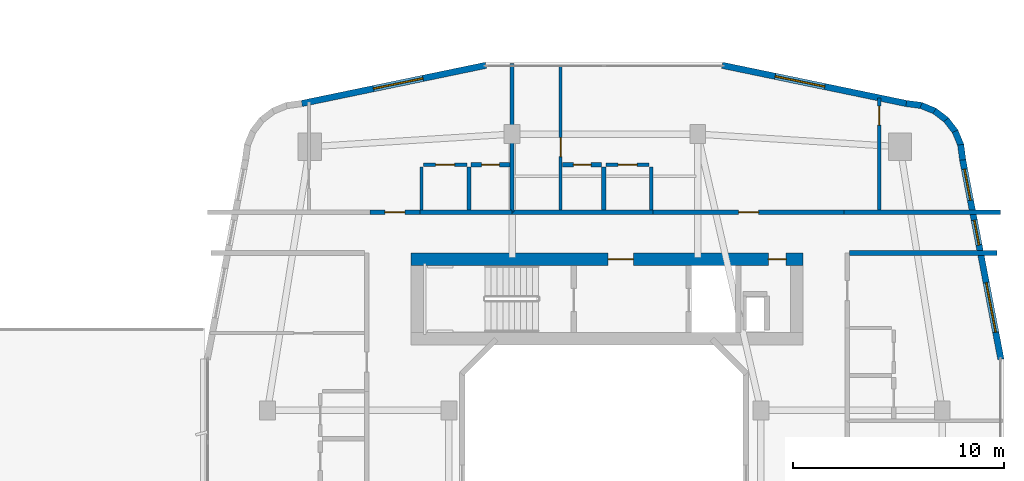
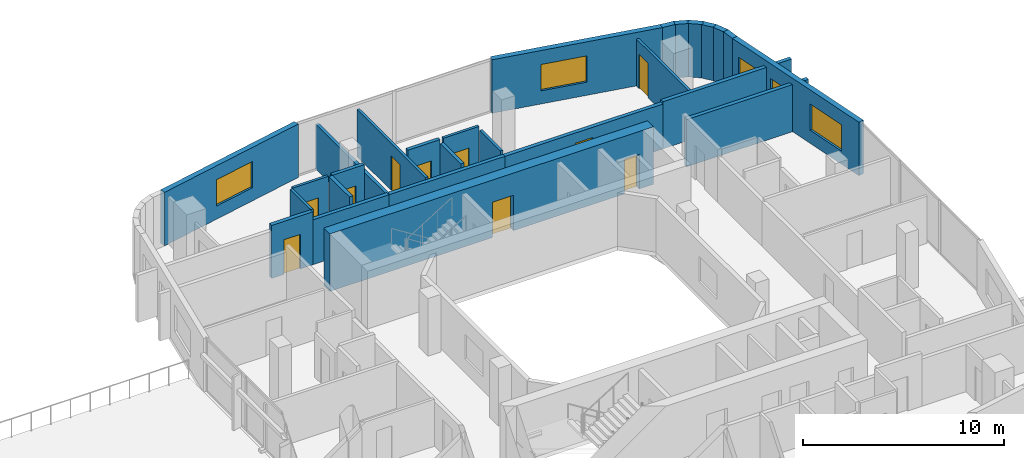
# One storey, part 19 of 25: 27 walls, 10 doors, 5 windows, 15 openings.
"""IFC4 building model written with IfcOpenShell, lengths in metres."""

from ifc_helpers import new_model, si_unit, derived_unit, direction, frame, frame_2d, origin, place, context, subcontext, project, spatial, rectangle, extrude, material, layer, layer_set, type_object, element, fill, save


model = new_model("IFC4")

# Units and contexts
model_context = context("Model", 3, precision=1e-05, world=origin(), true_north=direction((0.0, 1.0)))
body_context = subcontext(model_context, "Body", "Model", "MODEL_VIEW")
ifc_project = project(units=[si_unit("LENGTHUNIT", "METRE"), si_unit("AREAUNIT", "SQUARE_METRE"), si_unit("VOLUMEUNIT", "CUBIC_METRE"), si_unit("PLANEANGLEUNIT", "RADIAN"), si_unit("MASSUNIT", "GRAM", prefix="KILO"), derived_unit("THERMALTRANSMITTANCEUNIT", [(si_unit("POWERUNIT", "WATT"), 1), (si_unit("LENGTHUNIT", "METRE"), -2), (si_unit("THERMODYNAMICTEMPERATUREUNIT", "KELVIN"), -1)])], contexts=[model_context])

# Site, building, storey
site_placement = place(None, origin())
site = spatial("IfcSite", under=ifc_project, at=site_placement, CompositionType="ELEMENT")
building_placement = place(site_placement, origin())
building = spatial("IfcBuilding", under=site, at=building_placement, Name="Kivonza Crest Hotel", CompositionType="ELEMENT")
storey_placement = place(building_placement, frame((0.0, 0.0, 24.0)))
storey = spatial("IfcBuildingStorey", under=building, at=storey_placement, Name="L05", CompositionType="ELEMENT", Elevation=24.0)

# Walls
ifc_material_1 = material(Name="High-density acoustic masonry inter-tenancy wall", Category="masonry")
ifc_layer_1 = layer(ifc_material_1, 0.179931640625)
ifc_layer_set_1 = layer_set([ifc_layer_1], Name="High-density acoustic masonry inter-tenancy wall")
wall_type_1 = type_object("IfcWallType", Name="WL-ACOU-180", PredefinedType="SOLIDWALL", material=ifc_layer_set_1)
wall_1_placement = place(storey_placement, frame((72.60009765625, 37.89990234375, 0.0), z_axis=(0.0, 0.0, 1.0), x_axis=(0.0, 1.0, 0.0)))
element("IfcWall", 1, at=wall_1_placement, inside=storey, type_object=wall_type_1, Name="L05 interior partition WA-L05-T2N-DIV1", PredefinedType="SOLIDWALL", context=body_context, shape_type="SweptSolid", body=[
    extrude(rectangle(XDim=7.0400390625, YDim=0.179931640625, at=frame_2d((3.52001953125, 0.0))), origin(), (0.0, 0.0, 1.0), 2.72509765625),
])
ifc_material_2 = material(Name="Autoclaved aerated concrete blockwork", Category="masonry")
ifc_layer_2 = layer(ifc_material_2, 0.219970703125)
ifc_layer_set_2 = layer_set([ifc_layer_2], Name="Autoclaved aerated concrete blockwork")
wall_type_2 = type_object("IfcWallType", Name="WL-ACOU-220", PredefinedType="SOLIDWALL", material=ifc_layer_set_2)
wall_2_placement = place(storey_placement, frame((68.219970703125, 37.89990234375, 0.0), z_axis=(0.0, 0.0, 1.0), x_axis=(1.0, 0.0, 0.0)))
element("IfcWall", 2, at=wall_2_placement, inside=storey, type_object=wall_type_2, Name="L05 interior partition WA-L05-A01-RCORR", PredefinedType="SOLIDWALL", context=body_context, shape_type="SweptSolid", body=[
    extrude(rectangle(XDim=4.380126953125, YDim=0.219970703125, at=frame_2d((2.18994140625, 0.0))), origin(), (0.0, 0.0, 1.0), 2.72509765625),
])

# Wall, opening, door
wall_3_placement = place(storey_placement, frame((65.85009765625, 37.89990234375, 0.0), z_axis=(0.0, 0.0, 1.0), x_axis=(1.0, 0.0, 0.0)))
wall_3 = element("IfcWall", 3, at=wall_3_placement, inside=storey, type_object=wall_type_2, Name="L05 interior partition WA-L05-A01-MCORR", PredefinedType="SOLIDWALL", context=body_context, shape_type="SweptSolid", body=[
    extrude(rectangle(XDim=2.369873046875, YDim=0.219970703125, at=frame_2d((1.18505859375, 0.0))), origin(), (0.0, 0.0, 1.0), 3.219970703125),
])
opening_1_placement = place(wall_3_placement, frame((0.7099609375, 0.0, 0.0)))
opening_1 = element("IfcOpeningElement", 4, at=opening_1_placement, cuts=wall_3, Name="Opening DU-60", PredefinedType="OPENING", context=body_context, shape_type="SweptSolid", body=[
    extrude(rectangle(XDim=0.949951171875, YDim=2.10009765625, at=frame_2d((0.47509765625, 1.050048828125))), frame((0.0, 0.1201171875, 0.0), z_axis=(0.0, -1.0, 0.0), x_axis=(1.0, 0.0, 0.0)), (0.0, 0.0, 1.0), 0.239990234375),
])
ifc_material_3 = material(Name="Hardwood timber oak", Category="wood")
door_type_1 = type_object("IfcDoorType", Name="DR-UNIT-950", OperationType="NOTDEFINED", PredefinedType="DOOR", material=ifc_material_3)
door_1_placement = place(opening_1_placement, origin())
door_1 = element("IfcDoor", 5, at=door_1_placement, inside=storey, type_object=door_type_1, Name="L05 A01 apartment entrance fire door", OperationType="SINGLE_SWING_LEFT", OverallHeight=2.10009765625, OverallWidth=0.949951171875, PredefinedType="DOOR", context=body_context, shape_type="SweptSolid", body=[
    extrude(rectangle(XDim=0.949951171875, YDim=2.10009765625, at=frame_2d((0.47509765625, 1.050048828125))), frame((0.0, 0.02490234375, 0.0), z_axis=(0.0, -1.0, 0.0), x_axis=(1.0, 0.0, 0.0)), (0.0, 0.0, 1.0), 0.050048828125),
])
fill(opening_1, door_1)

# Walls
wall_4_placement = place(storey_placement, frame((72.60009765625, 37.89990234375, 0.0), z_axis=(0.0, 0.0, 1.0), x_axis=(1.0, 0.0, 0.0)))
element("IfcWall", 6, at=wall_4_placement, inside=storey, type_object=wall_type_2, Name="L05 interior partition WA-L05-A02-LCORR", PredefinedType="SOLIDWALL", context=body_context, shape_type="SweptSolid", body=[
    extrude(rectangle(XDim=6.679931640625, YDim=0.219970703125, at=frame_2d((3.33984375, 0.0))), origin(), (0.0, 0.0, 1.0), 2.72509765625),
])
wall_5_placement = place(storey_placement, frame((88.35009765625, 37.89990234375, 0.0), z_axis=(0.0, 0.0, 1.0), x_axis=(1.0, 0.0, 0.0)))
element("IfcWall", 7, at=wall_5_placement, inside=storey, type_object=wall_type_2, Name="L05 interior partition WA-L05-A02-RCORR", PredefinedType="SOLIDWALL", context=body_context, shape_type="SweptSolid", body=[
    extrude(rectangle(XDim=7.409912109375, YDim=0.219970703125, at=frame_2d((3.705078125, 0.0))), origin(), (0.0, 0.0, 1.0), 2.864990234375),
])

# Wall, opening, door
wall_6_placement = place(storey_placement, frame((79.280029296875, 37.89990234375, 0.0), z_axis=(0.0, 0.0, 1.0), x_axis=(1.0, 0.0, 0.0)))
wall_6 = element("IfcWall", 8, at=wall_6_placement, inside=storey, type_object=wall_type_2, Name="L05 interior partition WA-L05-A02-MCORR", PredefinedType="SOLIDWALL", context=body_context, shape_type="SweptSolid", body=[
    extrude(rectangle(XDim=9.070068359375, YDim=0.219970703125, at=frame_2d((4.53515625, 0.0))), origin(), (0.0, 0.0, 1.0), 2.72509765625),
])
opening_2_placement = place(wall_6_placement, frame((4.06005859375, 0.0, 0.0)))
opening_2 = element("IfcOpeningElement", 9, at=opening_2_placement, cuts=wall_6, Name="Opening DU-60", PredefinedType="OPENING", context=body_context, shape_type="SweptSolid", body=[
    extrude(rectangle(XDim=0.949951171875, YDim=2.10009765625, at=frame_2d((0.47509765625, 1.050048828125))), frame((0.0, 0.1201171875, 0.0), z_axis=(0.0, -1.0, 0.0), x_axis=(1.0, 0.0, 0.0)), (0.0, 0.0, 1.0), 0.239990234375),
])
door_2_placement = place(opening_2_placement, origin())
door_2 = element("IfcDoor", 10, at=door_2_placement, inside=storey, type_object=door_type_1, Name="L05 A02 apartment entrance fire door", OperationType="SINGLE_SWING_RIGHT", OverallHeight=2.10009765625, OverallWidth=0.949951171875, PredefinedType="DOOR", context=body_context, shape_type="SweptSolid", body=[
    extrude(rectangle(XDim=0.949951171875, YDim=2.10009765625, at=frame_2d((0.47509765625, 1.050048828125))), frame((0.0, 0.02490234375, 0.0), z_axis=(0.0, -1.0, 0.0), x_axis=(1.0, 0.0, 0.0)), (0.0, 0.0, 1.0), 0.050048828125),
])
fill(opening_2, door_2)

# Wall
wall_7_placement = place(storey_placement, frame((88.60009765625, 35.9599609375, 0.0), z_axis=(0.0, 0.0, 1.0), x_axis=(1.0, 0.0, 0.0)))
element("IfcWall", 11, at=wall_7_placement, inside=storey, type_object=wall_type_2, Name="L05 interior partition WA-L05-T2E-ENDN", PredefinedType="SOLIDWALL", context=body_context, shape_type="SweptSolid", body=[
    extrude(rectangle(XDim=7.0, YDim=0.219970703125, at=frame_2d((3.5, 0.0))), origin(), (0.0, 0.0, 1.0), 2.864990234375),
])

# Wall, openings, doors
ifc_material_4 = material(Name="Concrete C60/75", Category="concrete")
ifc_layer_3 = layer(ifc_material_4, 0.60009765625)
ifc_layer_set_3 = layer_set([ifc_layer_3], Name="Concrete C60/75")
wall_type_3 = type_object("IfcWallType", Name="WL-CORE-600", PredefinedType="SHEAR", material=ifc_layer_set_3)
wall_8_placement = place(storey_placement, frame((67.800048828125, 35.659912109375, 0.0), z_axis=(0.0, 0.0, 1.0), x_axis=(1.0, 0.0, 0.0)))
wall_8 = element("IfcWall", 12, at=wall_8_placement, inside=storey, type_object=wall_type_3, Name="Core wall T2-N North L05", PredefinedType="SHEAR", context=body_context, shape_type="SweptSolid", body=[
    extrude(rectangle(XDim=18.599853515625, YDim=0.60009765625, at=frame_2d((9.2998046875, 0.0))), origin(), (0.0, 0.0, 1.0), 3.5),
])
opening_3_placement = place(wall_8_placement, frame((9.35009765625, 0.0, 0.0)))
opening_3 = element("IfcOpeningElement", 13, at=opening_3_placement, cuts=wall_8, Name="Opening DF-60", PredefinedType="OPENING", context=body_context, shape_type="SweptSolid", body=[
    extrude(rectangle(XDim=1.199951171875, YDim=2.14990234375, at=frame_2d((0.60009765625, 1.074951171875))), frame((0.0, 0.31005859375, 0.0), z_axis=(0.0, -1.0, 0.0), x_axis=(1.0, 0.0, 0.0)), (0.0, 0.0, 1.0), 0.6201171875),
])
opening_4_placement = place(wall_8_placement, frame((16.949951171875, 0.0, 0.0)))
opening_4 = element("IfcOpeningElement", 14, at=opening_4_placement, cuts=wall_8, Name="Opening DF-60R", PredefinedType="OPENING", context=body_context, shape_type="SweptSolid", body=[
    extrude(rectangle(XDim=0.85009765625, YDim=2.10009765625, at=frame_2d((0.425048828125, 1.050048828125))), frame((0.0, 0.31005859375, 0.0), z_axis=(0.0, -1.0, 0.0), x_axis=(1.0, 0.0, 0.0)), (0.0, 0.0, 1.0), 0.6201171875),
])
door_type_2 = type_object("IfcDoorType", Name="DR-FD60-1200", OperationType="NOTDEFINED", PredefinedType="DOOR", material=ifc_material_3)
door_3_placement = place(opening_3_placement, origin())
door_3 = element("IfcDoor", 15, at=door_3_placement, inside=storey, type_object=door_type_2, Name="L05 T2-N firefighting lobby fire door", OperationType="SINGLE_SWING_RIGHT", OverallHeight=2.14990234375, OverallWidth=1.199951171875, PredefinedType="DOOR", context=body_context, shape_type="SweptSolid", body=[
    extrude(rectangle(XDim=1.199951171875, YDim=2.14990234375, at=frame_2d((0.60009765625, 1.074951171875))), frame((0.0, 0.02490234375, 0.0), z_axis=(0.0, -1.0, 0.0), x_axis=(1.0, 0.0, 0.0)), (0.0, 0.0, 1.0), 0.050048828125),
])
fill(opening_3, door_3)
door_type_3 = type_object("IfcDoorType", Name="DR-FD60-850", OperationType="NOTDEFINED", PredefinedType="DOOR", material=ifc_material_3)
door_4_placement = place(opening_4_placement, origin())
door_4 = element("IfcDoor", 16, at=door_4_placement, inside=storey, type_object=door_type_3, Name="L05 T2-N core room door", OperationType="SINGLE_SWING_RIGHT", OverallHeight=2.10009765625, OverallWidth=0.85009765625, PredefinedType="DOOR", context=body_context, shape_type="SweptSolid", body=[
    extrude(rectangle(XDim=0.85009765625, YDim=2.10009765625, at=frame_2d((0.425048828125, 1.050048828125))), frame((0.0, 0.02490234375, 0.0), z_axis=(0.0, -1.0, 0.0), x_axis=(1.0, 0.0, 0.0)), (0.0, 0.0, 1.0), 0.050048828125),
])
fill(opening_4, door_4)

# Wall, openings, windows
ifc_material_5 = material(Name="Precast concrete C40/50", Category="concrete")
ifc_layer_4 = layer(ifc_material_5, 0.300048828125)
ifc_layer_set_4 = layer_set([ifc_layer_4], Name="Precast concrete C40/50")
wall_type_4 = type_object("IfcWallType", Name="WL-EXT-300", PredefinedType="STANDARD", material=ifc_layer_set_4)
wall_9_placement = place(storey_placement, frame((95.782958984375, 30.91796875, 0.0), z_axis=(0.0, 0.0, 1.0), x_axis=(-0.188087874316, 0.982152203854, 0.0)))
wall_9 = element("IfcWall", 17, at=wall_9_placement, inside=storey, type_object=wall_type_4, Name="L05 T2 exterior insulated wall 18", PredefinedType="STANDARD", context=body_context, shape_type="SweptSolid", body=[
    extrude(rectangle(XDim=9.6337890625, YDim=0.300048828125, at=frame_2d((4.81689453125, 0.0))), origin(), (0.0, 0.0, 1.0), 3.25),
])
opening_5_placement = place(wall_9_placement, frame((1.305908203125, 0.0, 0.800048828125)))
opening_5 = element("IfcOpeningElement", 18, at=opening_5_placement, cuts=wall_9, Name="Opening WN-05", PredefinedType="OPENING", context=body_context, shape_type="SweptSolid", body=[
    extrude(rectangle(XDim=2.39990234375, YDim=1.60009765625, at=frame_2d((1.199951171875, 0.800048828125))), frame((0.0, 0.16015625, 0.0), z_axis=(0.0, -1.0, 0.0), x_axis=(1.0, 0.0, 0.0)), (0.0, 0.0, 1.0), 0.320068359375),
])
opening_6_placement = place(wall_9_placement, frame((5.52099609375, 0.0, 0.85009765625)))
opening_6 = element("IfcOpeningElement", 19, at=opening_6_placement, cuts=wall_9, Name="Opening WN-01", PredefinedType="OPENING", context=body_context, shape_type="SweptSolid", body=[
    extrude(rectangle(XDim=1.199951171875, YDim=1.5, at=frame_2d((0.60009765625, 0.75))), frame((0.0, 0.16015625, 0.0), z_axis=(0.0, -1.0, 0.0), x_axis=(1.0, 0.0, 0.0)), (0.0, 0.0, 1.0), 0.320068359375),
])
opening_7_placement = place(wall_9_placement, frame((7.681884765625, 0.0, 0.85009765625)))
opening_7 = element("IfcOpeningElement", 20, at=opening_7_placement, cuts=wall_9, Name="Opening WN-02", PredefinedType="OPENING", context=body_context, shape_type="SweptSolid", body=[
    extrude(rectangle(XDim=1.5, YDim=1.5, at=frame_2d((0.75, 0.75))), frame((0.0, 0.16015625, 0.0), z_axis=(0.0, -1.0, 0.0), x_axis=(1.0, 0.0, 0.0)), (0.0, 0.0, 1.0), 0.320068359375),
])
ifc_material_6 = material(Name="Thermally broken bronze aluminium and low-E double glazing", Category="aluminium")
window_type_1 = type_object("IfcWindowType", Name="WN-120x150", PartitioningType="SINGLE_PANEL", PredefinedType="WINDOW", material=ifc_material_6)
window_1_placement = place(opening_6_placement, origin())
window_1 = element("IfcWindow", 21, at=window_1_placement, inside=storey, type_object=window_type_1, Name="L05 T2 facade window 18 bay 2", OverallHeight=1.5, OverallWidth=1.199951171875, PartitioningType="SINGLE_PANEL", PredefinedType="WINDOW", context=body_context, shape_type="SweptSolid", body=[
    extrude(rectangle(XDim=1.199951171875, YDim=1.5, at=frame_2d((0.60009765625, 0.75))), frame((0.0, 0.030029296875, 0.0), z_axis=(0.0, -1.0, 0.0), x_axis=(1.0, 0.0, 0.0)), (0.0, 0.0, 1.0), 0.06005859375),
])
fill(opening_6, window_1)
window_type_2 = type_object("IfcWindowType", Name="WN-150x150", PartitioningType="DOUBLE_PANEL_VERTICAL", PredefinedType="WINDOW", material=ifc_material_6)
window_2_placement = place(opening_7_placement, origin())
window_2 = element("IfcWindow", 22, at=window_2_placement, inside=storey, type_object=window_type_2, Name="L05 T2 facade window 18 bay 3", OverallHeight=1.5, OverallWidth=1.5, PartitioningType="SINGLE_PANEL", PredefinedType="WINDOW", context=body_context, shape_type="SweptSolid", body=[
    extrude(rectangle(XDim=1.5, YDim=1.5, at=frame_2d((0.75, 0.75))), frame((0.0, 0.030029296875, 0.0), z_axis=(0.0, -1.0, 0.0), x_axis=(1.0, 0.0, 0.0)), (0.0, 0.0, 1.0), 0.06005859375),
])
fill(opening_7, window_2)
window_type_3 = type_object("IfcWindowType", Name="WN-240x160", PartitioningType="TRIPLE_PANEL_VERTICAL", PredefinedType="WINDOW", material=ifc_material_6)
window_3_placement = place(opening_5_placement, origin())
window_3 = element("IfcWindow", 23, at=window_3_placement, inside=storey, type_object=window_type_3, Name="L05 T2 facade window 18 bay 1", OverallHeight=1.60009765625, OverallWidth=2.39990234375, PartitioningType="SINGLE_PANEL", PredefinedType="WINDOW", context=body_context, shape_type="SweptSolid", body=[
    extrude(rectangle(XDim=2.39990234375, YDim=1.60009765625, at=frame_2d((1.199951171875, 0.800048828125))), frame((0.0, 0.030029296875, 0.0), z_axis=(0.0, -1.0, 0.0), x_axis=(1.0, 0.0, 0.0)), (0.0, 0.0, 1.0), 0.06005859375),
])
fill(opening_5, window_3)

# Walls
wall_10_placement = place(storey_placement, frame((93.971923828125, 40.373046875, 0.0), z_axis=(0.0, 0.0, 1.0), x_axis=(-0.130255288807, 0.991480488834, 0.0)))
element("IfcWall", 24, at=wall_10_placement, inside=storey, type_object=wall_type_4, Name="L05 T2 exterior insulated wall 19", PredefinedType="STANDARD", context=body_context, shape_type="SweptSolid", body=[
    extrude(rectangle(XDim=0.72900390625, YDim=0.300048828125, at=frame_2d((0.364501953125, 0.0))), origin(), (0.0, 0.0, 1.0), 3.25),
])
wall_11_placement = place(storey_placement, frame((93.89599609375, 41.044921875, 0.0), z_axis=(0.0, 0.0, 1.0), x_axis=(-0.383267045233, 0.923637576129, 0.0)))
element("IfcWall", 25, at=wall_11_placement, inside=storey, type_object=wall_type_4, Name="L05 T2 exterior insulated wall 20", PredefinedType="STANDARD", context=body_context, shape_type="SweptSolid", body=[
    extrude(rectangle(XDim=0.745849609375, YDim=0.300048828125, at=frame_2d((0.373046875, 0.0))), origin(), (0.0, 0.0, 1.0), 3.25),
])
for number, where, z_axis, x_axis, name in (
    (26, (93.64111328125, 41.68896484375, 0.0), (0.0, 0.0, 1.0), (-0.608603261071, 0.793474681772, 0.0), "L05 T2 exterior insulated wall 21"),
    (27, (93.22900390625, 42.24609375, 0.0), (0.0, 0.0, 1.0), (-0.79363269798, 0.608397189915, 0.0), "L05 T2 exterior insulated wall 22"),
):
    element("IfcWall", number, at=place(storey_placement, frame(where, z_axis=z_axis, x_axis=x_axis)), inside=storey, type_object=wall_type_4, Name=name, PredefinedType="STANDARD", context=body_context, shape_type="SweptSolid", body=[
        extrude(rectangle(XDim=0.74609375, YDim=0.300048828125, at=frame_2d((0.373046875, 0.0))), origin(), (0.0, 0.0, 1.0), 3.25),
    ])
wall_12_placement = place(storey_placement, frame((92.68603515625, 42.676025390625, 0.0), z_axis=(0.0, 0.0, 1.0), x_axis=(-0.923637576129, 0.383267045233, 0.0)))
element("IfcWall", 28, at=wall_12_placement, inside=storey, type_object=wall_type_4, Name="L05 T2 exterior insulated wall 23", PredefinedType="STANDARD", context=body_context, shape_type="SweptSolid", body=[
    extrude(rectangle(XDim=0.745849609375, YDim=0.300048828125, at=frame_2d((0.373046875, 0.0))), origin(), (0.0, 0.0, 1.0), 3.25),
])
wall_13_placement = place(storey_placement, frame((92.051025390625, 42.952880859375, 0.0), z_axis=(0.0, 0.0, 1.0), x_axis=(-0.991559404866, 0.129653178221, 0.0)))
element("IfcWall", 29, at=wall_13_placement, inside=storey, type_object=wall_type_4, Name="L05 T2 exterior insulated wall 24", PredefinedType="STANDARD", context=body_context, shape_type="SweptSolid", body=[
    extrude(rectangle(XDim=0.764404296875, YDim=0.300048828125, at=frame_2d((0.38232421875, 0.0))), origin(), (0.0, 0.0, 1.0), 3.25),
])

# Wall, opening, window
wall_14_placement = place(storey_placement, frame((91.298095703125, 43.051025390625, 0.0), z_axis=(0.0, 0.0, 1.0), x_axis=(-0.979128391325, 0.203242695569, 0.0)))
wall_14 = element("IfcWall", 30, at=wall_14_placement, inside=storey, type_object=wall_type_4, Name="L05 T2 exterior insulated wall 25", PredefinedType="STANDARD", context=body_context, shape_type="SweptSolid", body=[
    extrude(rectangle(XDim=8.92041015625, YDim=0.300048828125, at=frame_2d((4.460205078125, 0.0))), origin(), (0.0, 0.0, 1.0), 3.25),
])
opening_8_placement = place(wall_14_placement, frame((3.95703125, 0.0, 0.800048828125)))
opening_8 = element("IfcOpeningElement", 31, at=opening_8_placement, cuts=wall_14, Name="Opening WN-05", PredefinedType="OPENING", context=body_context, shape_type="SweptSolid", body=[
    extrude(rectangle(XDim=2.39990234375, YDim=1.60009765625, at=frame_2d((1.199951171875, 0.800048828125))), frame((0.0, 0.16015625, 0.0), z_axis=(0.0, -1.0, 0.0), x_axis=(1.0, 0.0, 0.0)), (0.0, 0.0, 1.0), 0.320068359375),
])
window_4_placement = place(opening_8_placement, origin())
window_4 = element("IfcWindow", 32, at=window_4_placement, inside=storey, type_object=window_type_3, Name="L05 T2 facade window 25", OverallHeight=1.60009765625, OverallWidth=2.39990234375, PartitioningType="SINGLE_PANEL", PredefinedType="WINDOW", context=body_context, shape_type="SweptSolid", body=[
    extrude(rectangle(XDim=2.39990234375, YDim=1.60009765625, at=frame_2d((1.199951171875, 0.800048828125))), frame((0.0, 0.030029296875, 0.0), z_axis=(0.0, -1.0, 0.0), x_axis=(1.0, 0.0, 0.0)), (0.0, 0.0, 1.0), 0.06005859375),
])
fill(opening_8, window_4)

wall_15_placement = place(storey_placement, frame((71.35595703125, 44.864013671875, 0.0), z_axis=(0.0, 0.0, 1.0), x_axis=(-0.979127260729, -0.203248142175, 0.0)))
wall_15 = element("IfcWall", 33, at=wall_15_placement, inside=storey, type_object=wall_type_4, Name="L05 T2 exterior insulated wall 27", PredefinedType="STANDARD", context=body_context, shape_type="SweptSolid", body=[
    extrude(rectangle(XDim=8.920166015625, YDim=0.300048828125, at=frame_2d((4.4599609375, 0.0))), origin(), (0.0, 0.0, 1.0), 3.25),
])
opening_9_placement = place(wall_15_placement, frame((3.048095703125, 0.0, 0.800048828125)))
opening_9 = element("IfcOpeningElement", 34, at=opening_9_placement, cuts=wall_15, Name="Opening WN-05", PredefinedType="OPENING", context=body_context, shape_type="SweptSolid", body=[
    extrude(rectangle(XDim=2.39990234375, YDim=1.60009765625, at=frame_2d((1.199951171875, 0.800048828125))), frame((0.0, 0.16015625, 0.0), z_axis=(0.0, -1.0, 0.0), x_axis=(1.0, 0.0, 0.0)), (0.0, 0.0, 1.0), 0.320068359375),
])
window_5_placement = place(opening_9_placement, origin())
window_5 = element("IfcWindow", 35, at=window_5_placement, inside=storey, type_object=window_type_3, Name="L05 T2 facade window 27", OverallHeight=1.60009765625, OverallWidth=2.39990234375, PartitioningType="SINGLE_PANEL", PredefinedType="WINDOW", context=body_context, shape_type="SweptSolid", body=[
    extrude(rectangle(XDim=2.39990234375, YDim=1.60009765625, at=frame_2d((1.199951171875, 0.800048828125))), frame((0.0, 0.030029296875, 0.0), z_axis=(0.0, -1.0, 0.0), x_axis=(1.0, 0.0, 0.0)), (0.0, 0.0, 1.0), 0.06005859375),
])
fill(opening_9, window_5)

# Wall
ifc_material_7 = material(Name="Twin-stud acoustic gypsum board partition", Category="gypsum")
ifc_layer_5 = layer(ifc_material_7, 0.14990234375)
ifc_layer_set_5 = layer_set([ifc_layer_5], Name="Twin-stud acoustic gypsum board partition")
wall_type_5 = type_object("IfcWallType", Name="WL-PART-150", PredefinedType="PARTITIONING", material=ifc_layer_set_5)
wall_16_placement = place(storey_placement, frame((68.300048828125, 38.0, 0.0), z_axis=(0.0, 0.0, 1.0), x_axis=(0.0, 1.0, 0.0)))
element("IfcWall", 36, at=wall_16_placement, inside=storey, type_object=wall_type_5, Name="L05 interior partition WP-L05-A01-KF", PredefinedType="PARTITIONING", context=body_context, shape_type="SweptSolid", body=[
    extrude(rectangle(XDim=2.050048828125, YDim=0.14990234375, at=frame_2d((1.02490234375, 0.0))), origin(), (0.0, 0.0, 1.0), 3.219970703125),
])

# Wall, opening, door
wall_17_placement = place(storey_placement, frame((68.39990234375, 40.14990234375, 0.0), z_axis=(0.0, 0.0, 1.0), x_axis=(1.0, 0.0, 0.0)))
wall_17 = element("IfcWall", 37, at=wall_17_placement, inside=storey, type_object=wall_type_5, Name="L05 interior partition WP-L05-A01-KSVC", PredefinedType="PARTITIONING", context=body_context, shape_type="SweptSolid", body=[
    extrude(rectangle(XDim=2.050048828125, YDim=0.14990234375, at=frame_2d((1.02490234375, 0.0))), origin(), (0.0, 0.0, 1.0), 3.219970703125),
])
opening_10_placement = place(wall_17_placement, frame((0.574951171875, 0.0, 0.0)))
opening_10 = element("IfcOpeningElement", 38, at=opening_10_placement, cuts=wall_17, Name="Opening DI-90", PredefinedType="OPENING", context=body_context, shape_type="SweptSolid", body=[
    extrude(rectangle(XDim=0.89990234375, YDim=2.10009765625, at=frame_2d((0.449951171875, 1.050048828125))), frame((0.0, 0.0849609375, 0.0), z_axis=(0.0, -1.0, 0.0), x_axis=(1.0, 0.0, 0.0)), (0.0, 0.0, 1.0), 0.169921875),
])
door_type_4 = type_object("IfcDoorType", Name="DR-INT-900", OperationType="NOTDEFINED", PredefinedType="DOOR", material=ifc_material_3)
door_5_placement = place(opening_10_placement, origin())
door_5 = element("IfcDoor", 39, at=door_5_placement, inside=storey, type_object=door_type_4, Name="L05 A01 apartment kitchen door", OperationType="SINGLE_SWING_LEFT", OverallHeight=2.10009765625, OverallWidth=0.89990234375, PredefinedType="DOOR", context=body_context, shape_type="SweptSolid", body=[
    extrude(rectangle(XDim=0.89990234375, YDim=2.10009765625, at=frame_2d((0.449951171875, 1.050048828125))), frame((0.0, 0.02490234375, 0.0), z_axis=(0.0, -1.0, 0.0), x_axis=(1.0, 0.0, 0.0)), (0.0, 0.0, 1.0), 0.050048828125),
])
fill(opening_10, door_5)

wall_18_placement = place(storey_placement, frame((74.89990234375, 38.0, 0.0), z_axis=(0.0, 0.0, 1.0), x_axis=(0.0, 1.0, 0.0)))
wall_18 = element("IfcWall", 40, at=wall_18_placement, inside=storey, type_object=wall_type_5, Name="L05 interior partition WP-L05-A02-BDW1", PredefinedType="PARTITIONING", context=body_context, shape_type="SweptSolid", body=[
    extrude(rectangle(XDim=6.840087890625, YDim=0.14990234375, at=frame_2d((3.419921875, 0.0))), origin(), (0.0, 0.0, 1.0), 2.864990234375),
])
opening_11_placement = place(wall_18_placement, frame((2.530029296875, 0.0, 0.0)))
opening_11 = element("IfcOpeningElement", 41, at=opening_11_placement, cuts=wall_18, Name="Opening DI-90", PredefinedType="OPENING", context=body_context, shape_type="SweptSolid", body=[
    extrude(rectangle(XDim=0.89990234375, YDim=2.10009765625, at=frame_2d((0.449951171875, 1.050048828125))), frame((0.0, 0.0849609375, 0.0), z_axis=(0.0, -1.0, 0.0), x_axis=(1.0, 0.0, 0.0)), (0.0, 0.0, 1.0), 0.169921875),
])
door_6_placement = place(opening_11_placement, origin())
door_6 = element("IfcDoor", 42, at=door_6_placement, inside=storey, type_object=door_type_4, Name="L05 A02 bedroom 1 door", OperationType="SINGLE_SWING_LEFT", OverallHeight=2.10009765625, OverallWidth=0.89990234375, PredefinedType="DOOR", context=body_context, shape_type="SweptSolid", body=[
    extrude(rectangle(XDim=0.89990234375, YDim=2.10009765625, at=frame_2d((0.449951171875, 1.050048828125))), frame((0.0, 0.02490234375, 0.0), z_axis=(0.0, -1.0, 0.0), x_axis=(1.0, 0.0, 0.0)), (0.0, 0.0, 1.0), 0.050048828125),
])
fill(opening_11, door_6)

wall_19_placement = place(storey_placement, frame((90.010009765625, 38.0, 0.0), z_axis=(0.0, 0.0, 1.0), x_axis=(0.0, 1.0, 0.0)))
wall_19 = element("IfcWall", 43, at=wall_19_placement, inside=storey, type_object=wall_type_5, Name="L05 interior partition WP-L05-A02-BDW2", PredefinedType="PARTITIONING", context=body_context, shape_type="SweptSolid", body=[
    extrude(rectangle(XDim=5.31103515625, YDim=0.14990234375, at=frame_2d((2.655517578125, 0.0))), origin(), (0.0, 0.0, 1.0), 2.864990234375),
])
opening_12_placement = place(wall_19_placement, frame((4.030029296875, 0.0, 0.0)))
opening_12 = element("IfcOpeningElement", 44, at=opening_12_placement, cuts=wall_19, Name="Opening DI-90", PredefinedType="OPENING", context=body_context, shape_type="SweptSolid", body=[
    extrude(rectangle(XDim=0.89990234375, YDim=2.10009765625, at=frame_2d((0.449951171875, 1.050048828125))), frame((0.0, 0.0849609375, 0.0), z_axis=(0.0, -1.0, 0.0), x_axis=(1.0, 0.0, 0.0)), (0.0, 0.0, 1.0), 0.169921875),
])
door_7_placement = place(opening_12_placement, origin())
door_7 = element("IfcDoor", 45, at=door_7_placement, inside=storey, type_object=door_type_4, Name="L05 A02 bedroom 2 door", OperationType="SINGLE_SWING_RIGHT", OverallHeight=2.10009765625, OverallWidth=0.89990234375, PredefinedType="DOOR", context=body_context, shape_type="SweptSolid", body=[
    extrude(rectangle(XDim=0.89990234375, YDim=2.10009765625, at=frame_2d((0.449951171875, 1.050048828125))), frame((0.0, 0.02490234375, 0.0), z_axis=(0.0, -1.0, 0.0), x_axis=(1.0, 0.0, 0.0)), (0.0, 0.0, 1.0), 0.050048828125),
])
fill(opening_12, door_7)

# Wall
wall_20_placement = place(storey_placement, frame((79.199951171875, 38.0, 0.0), z_axis=(0.0, 0.0, 1.0), x_axis=(0.0, 1.0, 0.0)))
element("IfcWall", 46, at=wall_20_placement, inside=storey, type_object=wall_type_5, Name="L05 interior partition WP-L05-A02-KF", PredefinedType="PARTITIONING", context=body_context, shape_type="SweptSolid", body=[
    extrude(rectangle(XDim=2.050048828125, YDim=0.14990234375, at=frame_2d((1.02490234375, 0.0))), origin(), (0.0, 0.0, 1.0), 2.985107421875),
])

# Wall, opening, door
wall_21_placement = place(storey_placement, frame((77.050048828125, 40.14990234375, 0.0), z_axis=(0.0, 0.0, 1.0), x_axis=(1.0, 0.0, 0.0)))
wall_21 = element("IfcWall", 47, at=wall_21_placement, inside=storey, type_object=wall_type_5, Name="L05 interior partition WP-L05-A02-KSVC", PredefinedType="PARTITIONING", context=body_context, shape_type="SweptSolid", body=[
    extrude(rectangle(XDim=2.050048828125, YDim=0.14990234375, at=frame_2d((1.02490234375, 0.0))), origin(), (0.0, 0.0, 1.0), 3.219970703125),
])
opening_13_placement = place(wall_21_placement, frame((0.574951171875, 0.0, 0.0)))
opening_13 = element("IfcOpeningElement", 48, at=opening_13_placement, cuts=wall_21, Name="Opening DI-90", PredefinedType="OPENING", context=body_context, shape_type="SweptSolid", body=[
    extrude(rectangle(XDim=0.89990234375, YDim=2.10009765625, at=frame_2d((0.449951171875, 1.050048828125))), frame((0.0, 0.0849609375, 0.0), z_axis=(0.0, -1.0, 0.0), x_axis=(1.0, 0.0, 0.0)), (0.0, 0.0, 1.0), 0.169921875),
])
door_8_placement = place(opening_13_placement, origin())
door_8 = element("IfcDoor", 49, at=door_8_placement, inside=storey, type_object=door_type_4, Name="L05 A02 apartment kitchen door", OperationType="SINGLE_SWING_RIGHT", OverallHeight=2.10009765625, OverallWidth=0.89990234375, PredefinedType="DOOR", context=body_context, shape_type="SweptSolid", body=[
    extrude(rectangle(XDim=0.89990234375, YDim=2.10009765625, at=frame_2d((0.449951171875, 1.050048828125))), frame((0.0, 0.02490234375, 0.0), z_axis=(0.0, -1.0, 0.0), x_axis=(1.0, 0.0, 0.0)), (0.0, 0.0, 1.0), 0.050048828125),
])
fill(opening_13, door_8)

# Wall
ifc_material_8 = material(Name="Moisture-resistant plumbing chase partition wall", Category="gypsum")
ifc_layer_6 = layer(ifc_material_8, 0.199951171875)
ifc_layer_set_6 = layer_set([ifc_layer_6], Name="Moisture-resistant plumbing chase partition wall")
wall_type_6 = type_object("IfcWallType", Name="WL-PLUMB-200", PredefinedType="PLUMBINGWALL", material=ifc_layer_set_6)
wall_22_placement = place(storey_placement, frame((70.550048828125, 38.0, 0.0), z_axis=(0.0, 0.0, 1.0), x_axis=(0.0, 1.0, 0.0)))
element("IfcWall", 50, at=wall_22_placement, inside=storey, type_object=wall_type_6, Name="L05 interior partition WW-L05-A01-BK", PredefinedType="PLUMBINGWALL", context=body_context, shape_type="SweptSolid", body=[
    extrude(rectangle(XDim=2.050048828125, YDim=0.199951171875, at=frame_2d((1.02490234375, 0.0))), origin(), (0.0, 0.0, 1.0), 3.219970703125),
])

# Wall, opening, door
wall_23_placement = place(storey_placement, frame((70.64990234375, 40.14990234375, 0.0), z_axis=(0.0, 0.0, 1.0), x_axis=(1.0, 0.0, 0.0)))
wall_23 = element("IfcWall", 51, at=wall_23_placement, inside=storey, type_object=wall_type_6, Name="L05 interior partition WW-L05-A01-BSVC", PredefinedType="PLUMBINGWALL", context=body_context, shape_type="SweptSolid", body=[
    extrude(rectangle(XDim=1.85009765625, YDim=0.199951171875, at=frame_2d((0.925048828125, 0.0))), origin(), (0.0, 0.0, 1.0), 3.219970703125),
])
opening_14_placement = place(wall_23_placement, frame((0.5, 0.0, 0.0)))
opening_14 = element("IfcOpeningElement", 52, at=opening_14_placement, cuts=wall_23, Name="Opening DI-85", PredefinedType="OPENING", context=body_context, shape_type="SweptSolid", body=[
    extrude(rectangle(XDim=0.85009765625, YDim=2.10009765625, at=frame_2d((0.425048828125, 1.050048828125))), frame((0.0, 0.10986328125, 0.0), z_axis=(0.0, -1.0, 0.0), x_axis=(1.0, 0.0, 0.0)), (0.0, 0.0, 1.0), 0.219970703125),
])
door_type_5 = type_object("IfcDoorType", Name="DR-INT-850", OperationType="NOTDEFINED", PredefinedType="DOOR", material=ifc_material_3)
door_9_placement = place(opening_14_placement, origin())
door_9 = element("IfcDoor", 53, at=door_9_placement, inside=storey, type_object=door_type_5, Name="L05 A01 apartment bathroom door", OperationType="SINGLE_SWING_RIGHT", OverallHeight=2.10009765625, OverallWidth=0.85009765625, PredefinedType="DOOR", context=body_context, shape_type="SweptSolid", body=[
    extrude(rectangle(XDim=0.85009765625, YDim=2.10009765625, at=frame_2d((0.425048828125, 1.050048828125))), frame((0.0, 0.02490234375, 0.0), z_axis=(0.0, -1.0, 0.0), x_axis=(1.0, 0.0, 0.0)), (0.0, 0.0, 1.0), 0.050048828125),
])
fill(opening_14, door_9)

# Wall
wall_24_placement = place(storey_placement, frame((76.949951171875, 38.0, 0.0), z_axis=(0.0, 0.0, 1.0), x_axis=(0.0, 1.0, 0.0)))
element("IfcWall", 54, at=wall_24_placement, inside=storey, type_object=wall_type_6, Name="L05 interior partition WW-L05-A02-BK", PredefinedType="PLUMBINGWALL", context=body_context, shape_type="SweptSolid", body=[
    extrude(rectangle(XDim=2.050048828125, YDim=0.199951171875, at=frame_2d((1.02490234375, 0.0))), origin(), (0.0, 0.0, 1.0), 2.985107421875),
])

# Wall, opening, door
wall_25_placement = place(storey_placement, frame((75.0, 40.14990234375, 0.0), z_axis=(0.0, 0.0, 1.0), x_axis=(1.0, 0.0, 0.0)))
wall_25 = element("IfcWall", 55, at=wall_25_placement, inside=storey, type_object=wall_type_6, Name="L05 interior partition WW-L05-A02-BSVC", PredefinedType="PLUMBINGWALL", context=body_context, shape_type="SweptSolid", body=[
    extrude(rectangle(XDim=1.85009765625, YDim=0.199951171875, at=frame_2d((0.925048828125, 0.0))), origin(), (0.0, 0.0, 1.0), 3.219970703125),
])
opening_15_placement = place(wall_25_placement, frame((0.5, 0.0, 0.0)))
opening_15 = element("IfcOpeningElement", 56, at=opening_15_placement, cuts=wall_25, Name="Opening DI-85", PredefinedType="OPENING", context=body_context, shape_type="SweptSolid", body=[
    extrude(rectangle(XDim=0.85009765625, YDim=2.10009765625, at=frame_2d((0.425048828125, 1.050048828125))), frame((0.0, 0.10986328125, 0.0), z_axis=(0.0, -1.0, 0.0), x_axis=(1.0, 0.0, 0.0)), (0.0, 0.0, 1.0), 0.219970703125),
])
door_10_placement = place(opening_15_placement, origin())
door_10 = element("IfcDoor", 57, at=door_10_placement, inside=storey, type_object=door_type_5, Name="L05 A02 apartment bathroom door", OperationType="SINGLE_SWING_LEFT", OverallHeight=2.10009765625, OverallWidth=0.85009765625, PredefinedType="DOOR", context=body_context, shape_type="SweptSolid", body=[
    extrude(rectangle(XDim=0.85009765625, YDim=2.10009765625, at=frame_2d((0.425048828125, 1.050048828125))), frame((0.0, 0.02490234375, 0.0), z_axis=(0.0, -1.0, 0.0), x_axis=(1.0, 0.0, 0.0)), (0.0, 0.0, 1.0), 0.050048828125),
])
fill(opening_15, door_10)

save(model, "model.ifc")
